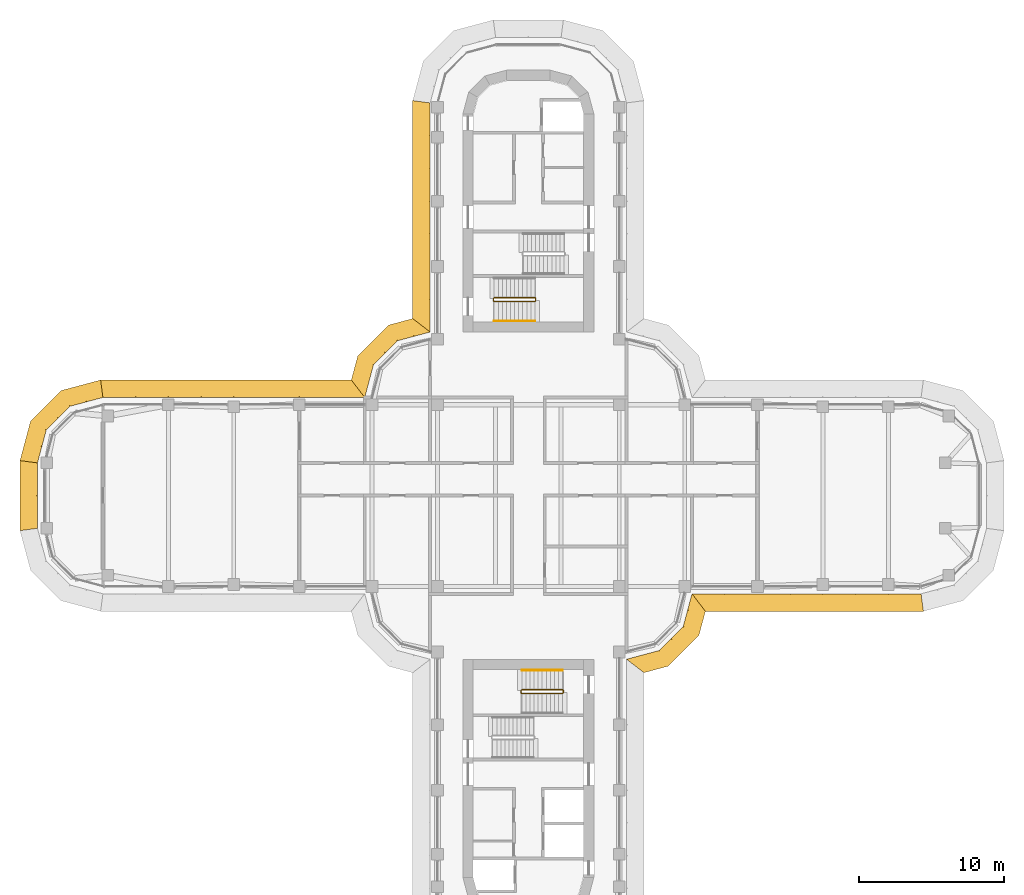
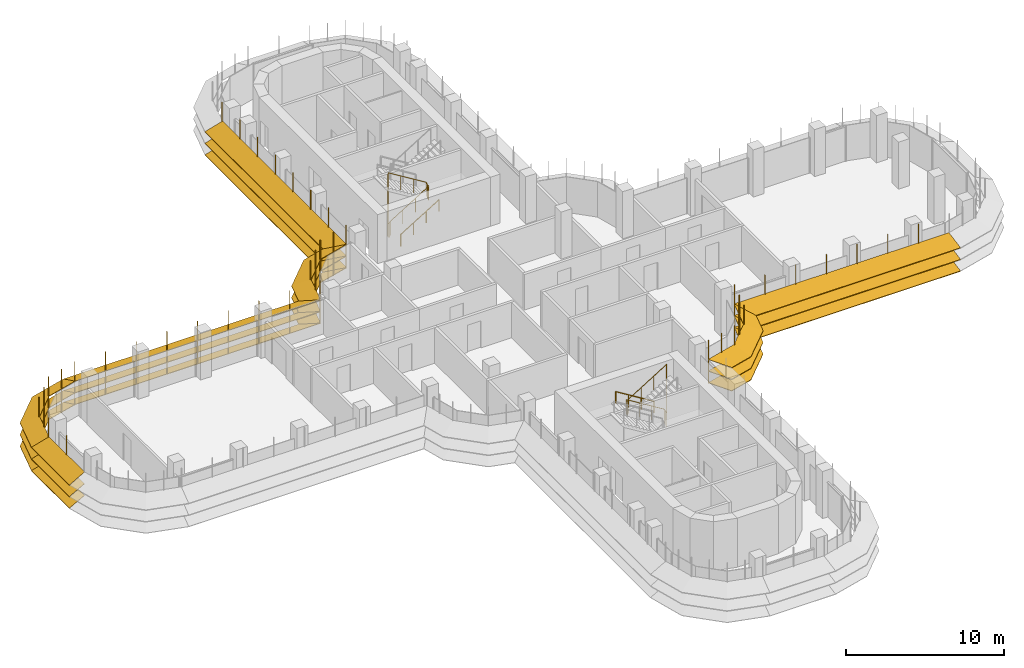
# One storey, part 18 of 20: 7 shading devices, 4 railings.
"""IFC4 building model written with IfcOpenShell, lengths in metres."""

import ifcopenshell
import ifcopenshell.guid

model = None  # the IFC model being written
_history = None  # IfcOwnerHistory: only IFC2X3 demands one
_inside = {}  # id of a spatial element -> (the spatial element, [elements in it])
_under = {}  # id of a project, library or spatial element -> (it, [spatial elements below it])
_declared = {}  # id of a project -> (the project, [libraries it declares])
_typed = {}  # id of a type object -> (the type object, [elements of that type])
_made_of = {}  # id of a material, layer set ... -> (it, [elements and type objects made of it])


def new_model(schema):
    """Start an empty IFC model of exactly this schema.

    Asked for "IFC4X3", IfcOpenShell would pick the latest addendum, in which some entities
    have other attributes; the version numbers below select the first issue.
    IFC2X3 requires an IfcOwnerHistory on every rooted entity: one is made here for all.
    """
    global model, _history
    if schema == "IFC4X3":
        model = ifcopenshell.file(schema_version=(4, 3, 0, 0))
    else:
        model = ifcopenshell.file(schema=schema)
    _inside.clear()
    _under.clear()
    _declared.clear()
    _typed.clear()
    _made_of.clear()
    _history = None
    if model.schema == "IFC2X3":
        org = make("IfcOrganization", Name="unknown")
        user = make(
            "IfcPersonAndOrganization",
            ThePerson=make("IfcPerson", FamilyName="unknown"),
            TheOrganization=org,
        )
        app = make(
            "IfcApplication",
            ApplicationDeveloper=org,
            Version="unknown",
            ApplicationFullName="unknown",
            ApplicationIdentifier="unknown",
        )
        _history = make(
            "IfcOwnerHistory",
            OwningUser=user,
            OwningApplication=app,
            ChangeAction="ADDED",
            CreationDate=0,
        )
    return model


def make(cls, **values):
    """One entity of the class cls with the attributes given. An attribute that is None is left unset."""
    return model.create_entity(
        cls, **{name: value for name, value in values.items() if value is not None}
    )


def rooted(cls, **values):
    """An entity with a GlobalId (a new one), such as an element, a storey or a relation."""
    return make(cls, GlobalId=ifcopenshell.guid.new(), OwnerHistory=_history, **values)


def si_unit(unit_type, name, prefix=None):
    """IfcSIUnit, for example si_unit("LENGTHUNIT", "METRE", prefix="MILLI")."""
    return make("IfcSIUnit", UnitType=unit_type, Prefix=prefix, Name=name)


def assignment(units):
    """IfcUnitAssignment: the units of a project."""
    return None if units is None else make("IfcUnitAssignment", Units=units)


def point(xyz):
    """IfcCartesianPoint."""
    return None if xyz is None else make("IfcCartesianPoint", Coordinates=xyz)


def direction(xyz):
    """IfcDirection."""
    return None if xyz is None else make("IfcDirection", DirectionRatios=xyz)


def frame(location, z_axis=None, x_axis=None):
    """IfcAxis2Placement3D, a coordinate frame: its origin and axes. An axis left out is left unset."""
    return make(
        "IfcAxis2Placement3D",
        Location=point(location),
        Axis=direction(z_axis),
        RefDirection=direction(x_axis),
    )


def frame_2d(location, x_axis=None):
    """IfcAxis2Placement2D, a coordinate frame in the plane: its origin and x axis."""
    return make(
        "IfcAxis2Placement2D", Location=point(location), RefDirection=direction(x_axis)
    )


def origin():
    """The frame at (0, 0, 0) with its axes left unset."""
    return frame((0.0, 0.0, 0.0))


def origin_2d():
    """The frame at (0, 0) in the plane with its x axis left unset."""
    return frame_2d((0.0, 0.0))


def place(relative_to, where):
    """IfcLocalPlacement: puts the frame where relative to a parent placement (None: the world)."""
    return make(
        "IfcLocalPlacement", PlacementRelTo=relative_to, RelativePlacement=where
    )


def context(
    kind, dimensions, precision=None, world=None, true_north=None, identifier=None
):
    """IfcGeometricRepresentationContext, for example the 3D "Model" context."""
    return make(
        "IfcGeometricRepresentationContext",
        ContextIdentifier=identifier,
        ContextType=kind,
        CoordinateSpaceDimension=dimensions,
        Precision=precision,
        WorldCoordinateSystem=world,
        TrueNorth=true_north,
    )


def subcontext(parent, identifier, kind, view, scale=None):
    """IfcGeometricRepresentationSubContext, for example "Body" below "Model"."""
    return make(
        "IfcGeometricRepresentationSubContext",
        ContextIdentifier=identifier,
        ContextType=kind,
        ParentContext=parent,
        TargetScale=scale,
        TargetView=view,
    )


def project(units=None, contexts=None):
    """IfcProject with its units and contexts."""
    return rooted(
        "IfcProject",
        Name="project",
        RepresentationContexts=contexts,
        UnitsInContext=assignment(units),
    )


def spatial(cls, under=None, at=None, **own):
    """A site, building, storey or space (cls), placed at a placement, below another one or the project."""
    s = rooted(cls, ObjectPlacement=at, **own)
    if under is not None:
        _under.setdefault(under.id(), (under, []))[1].append(s)
    return s


def polyline(points):
    """IfcPolyline through the points."""
    return make("IfcPolyline", Points=[point(p) for p in points])


def profile(cls, at=None, kind="AREA", **sizes):
    """A parametric profile (cls). Its sizes go by their IFC names, for example OverallWidth=200.0."""
    return make(cls, ProfileType=kind, Position=at, **sizes)


def circle(**sizes):
    """IfcCircleProfileDef."""
    return profile("IfcCircleProfileDef", **sizes)


def outline(outer, holes=None, kind="AREA"):
    """IfcArbitraryClosedProfileDef: a profile drawn as a closed curve; with holes, ...WithVoids."""
    if holes is None:
        return make("IfcArbitraryClosedProfileDef", ProfileType=kind, OuterCurve=outer)
    return make(
        "IfcArbitraryProfileDefWithVoids",
        ProfileType=kind,
        OuterCurve=outer,
        InnerCurves=holes,
    )


def extrude(swept, where, along, depth):
    """IfcExtrudedAreaSolid: the profile swept, set in the frame where, extruded along a direction by depth."""
    return make(
        "IfcExtrudedAreaSolid",
        SweptArea=swept,
        Position=where,
        ExtrudedDirection=direction(along),
        Depth=depth,
    )


def faces_of(points, faces, orient=None, outer=None):
    """IfcFace entities. A face is a list of loops; a loop is a list of indices into points, from 0.

    orient and outer hold one flag for each loop. By default every Orientation is true, the
    first loop of a face is its IfcFaceOuterBound and the others are IfcFaceBound.
    """
    made = []
    for i, loops in enumerate(faces):
        bounds = []
        for j, loop in enumerate(loops):
            is_outer = j == 0 if outer is None else outer[i][j]
            bounds.append(
                make(
                    "IfcFaceOuterBound" if is_outer else "IfcFaceBound",
                    Bound=make("IfcPolyLoop", Polygon=[points[k] for k in loop]),
                    Orientation=True if orient is None else orient[i][j],
                )
            )
        made.append(make("IfcFace", Bounds=bounds))
    return made


def faceted_brep(points, faces, orient=None, outer=None, voids=None):
    """IfcFacetedBrep: a solid bounded by flat faces; with voids (closed shells), ...WithVoids."""
    shared = [point(p) for p in points]
    hull = make("IfcClosedShell", CfsFaces=faces_of(shared, faces, orient, outer))
    if voids is None:
        return make("IfcFacetedBrep", Outer=hull)
    return make(
        "IfcFacetedBrepWithVoids",
        Outer=hull,
        Voids=[
            make(cls, CfsFaces=faces_of(shared, fs, o, b)) for cls, fs, o, b in voids
        ],
    )


def shape(context_of_items, identifier, shape_type, items):
    """IfcShapeRepresentation: the items that make up one representation, for example the "Body"."""
    return make(
        "IfcShapeRepresentation",
        ContextOfItems=context_of_items,
        RepresentationIdentifier=identifier,
        RepresentationType=shape_type,
        Items=items,
    )


def source(mapping_origin, context_of_items, identifier, shape_type, items):
    """IfcRepresentationMap: a shape defined once, which mapped items show again and again."""
    return make(
        "IfcRepresentationMap",
        MappingOrigin=mapping_origin,
        MappedRepresentation=shape(context_of_items, identifier, shape_type, items),
    )


def transform(
    local_origin,
    x_axis=None,
    y_axis=None,
    z_axis=None,
    scale=None,
    scale2=None,
    scale3=None,
    uniform=True,
):
    """IfcCartesianTransformationOperator3D, or its non-uniform kind. x_axis, y_axis, z_axis: its Axis1, 2, 3."""
    if uniform:
        return make(
            "IfcCartesianTransformationOperator3D",
            Axis1=direction(x_axis),
            Axis2=direction(y_axis),
            LocalOrigin=point(local_origin),
            Scale=scale,
            Axis3=direction(z_axis),
        )
    return make(
        "IfcCartesianTransformationOperator3DnonUniform",
        Axis1=direction(x_axis),
        Axis2=direction(y_axis),
        LocalOrigin=point(local_origin),
        Scale=scale,
        Axis3=direction(z_axis),
        Scale2=scale2,
        Scale3=scale3,
    )


def mapped(mapping_source, mapping_target):
    """IfcMappedItem: shows the shape of a source again, moved by a transform."""
    return make(
        "IfcMappedItem", MappingSource=mapping_source, MappingTarget=mapping_target
    )


def material(Name=None, Category=None):
    """IfcMaterial."""
    return make("IfcMaterial", Name=Name, Category=Category)


def made_of(thing, what):
    """Note that an element or type object is made of a material, layer set ...; save() writes the relation."""
    if what is not None:
        _made_of.setdefault(what.id(), (what, []))[1].append(thing)
    return thing


def type_object(cls, material=None, **own):
    """A type object (cls), such as IfcWallType, which elements share."""
    return made_of(rooted(cls, **own), material)


def element(
    cls,
    number,
    at=None,
    inside=None,
    cuts=None,
    type_object=None,
    material=None,
    context=None,
    identifier="Body",
    shape_type=None,
    held_by="IfcProductDefinitionShape",
    body=None,
    shapes=None,
    **own,
):
    """One element of the class cls, such as IfcWall. Its Tag is "e" and its number.

    at: its placement. inside: the storey or other place that contains it. cuts: it is an
    opening in that element (IfcRelVoidsElement). A single representation is given by context,
    identifier, shape_type and body (its items); several are given by shapes. held_by: the class
    of the entity that holds the representations. save() writes the other relations.
    """
    e = rooted(cls, Tag="e%d" % number, ObjectPlacement=at, **own)
    if body is not None:
        shapes = [shape(context, identifier, shape_type, body)]
    if shapes is not None:
        e.Representation = make(held_by, Representations=shapes)
    if inside is not None:
        _inside.setdefault(inside.id(), (inside, []))[1].append(e)
    if cuts is not None:
        rooted(
            "IfcRelVoidsElement", RelatingBuildingElement=cuts, RelatedOpeningElement=e
        )
    if type_object is not None:
        _typed.setdefault(type_object.id(), (type_object, []))[1].append(e)
    return made_of(e, material)


def aggregate(whole, parts):
    """IfcRelAggregates: a whole, such as a stair, and the parts it consists of."""
    return rooted("IfcRelAggregates", RelatingObject=whole, RelatedObjects=parts)


def save(model, path):
    """Write the relations noted so far, then the file.

    IfcRelAggregates (storeys below a building ...), IfcRelContainedInSpatialStructure (elements
    in a storey), IfcRelDefinesByType, IfcRelAssociatesMaterial and IfcRelDeclares: one each for
    every whole, place, type object, material and project.
    """
    for whole, parts in _under.values():
        aggregate(whole, parts)
    for where, things in _inside.values():
        rooted(
            "IfcRelContainedInSpatialStructure",
            RelatedElements=things,
            RelatingStructure=where,
        )
    for kind, things in _typed.values():
        rooted("IfcRelDefinesByType", RelatedObjects=things, RelatingType=kind)
    for what, things in _made_of.values():
        rooted("IfcRelAssociatesMaterial", RelatedObjects=things, RelatingMaterial=what)
    for by, libraries in _declared.values():
        rooted("IfcRelDeclares", RelatingContext=by, RelatedDefinitions=libraries)
    model.write(path)


model = new_model("IFC4")

# Units and contexts
model_context = context("Model", 3, precision=1e-05, world=origin(), true_north=direction((0.0, 1.0)))
body_context = subcontext(model_context, "Body", "Model", "MODEL_VIEW")
ifc_project = project(units=[si_unit("LENGTHUNIT", "METRE"), si_unit("AREAUNIT", "SQUARE_METRE"), si_unit("VOLUMEUNIT", "CUBIC_METRE"), si_unit("PLANEANGLEUNIT", "RADIAN"), si_unit("MASSUNIT", "GRAM", prefix="KILO")], contexts=[model_context])

# Site, building, storey
site_placement = place(None, origin())
site = spatial("IfcSite", under=ifc_project, at=site_placement, CompositionType="ELEMENT")
building_placement = place(site_placement, origin())
building = spatial("IfcBuilding", under=site, at=building_placement, Name="Zarbagh Exchange Tower", CompositionType="ELEMENT")
storey_placement = place(building_placement, frame((0.0, 0.0, 152.39990234375)))
storey = spatial("IfcBuildingStorey", under=building, at=storey_placement, Name="L36", CompositionType="ELEMENT", Elevation=152.39990234375)

# Railings
ifc_material_1 = material(Name="Stainless steel", Category="steel")
railing_type_1 = type_object("IfcRailingType", Name="Stair guard 1100 mm", PredefinedType="GUARDRAIL", material=ifc_material_1)
railing_1_placement = place(storey_placement, frame((0.5, 13.39990234375, 1.900146484375)))
element("IfcRailing", 1, at=railing_1_placement, inside=storey, type_object=railing_type_1, Name="ST2 stair guard 1", PredefinedType="GUARDRAIL", context=body_context, shape_type="SweptSolid", body=[
    extrude(circle(Radius=0.02392578125, at=origin_2d()), frame((0.0, 0.0, 1.076171875), z_axis=(0.0, 1.0, 0.0), x_axis=(-1.0, 0.0, 0.0)), (0.0, 0.0, 1.0), 0.150146484375),
    extrude(circle(Radius=0.02392578125, at=origin_2d()), frame((0.0, 0.150146484375, 1.076171875), z_axis=(-0.268277960024, 0.268277960024, 0.925231793839), x_axis=(-0.707106781187, -0.707106781187, 0.0)), (0.0, 0.0, 1.0), 0.1865234375),
    extrude(circle(Radius=0.02392578125, at=origin_2d()), frame((-0.050048828125, 0.2001953125, 1.24853515625), z_axis=(-0.851089632645, 0.0, 0.525020415988), x_axis=(0.0, -1.0, 0.0)), (0.0, 0.0, 1.0), 3.2900390625),
    extrude(circle(Radius=0.02392578125, at=origin_2d()), frame((-2.85009765625, 0.2001953125, 2.97607421875), z_axis=(-0.013104066473, -0.013168302093, -0.99982742474), x_axis=(0.708833529934, -0.705375805398, 0.0)), (0.0, 0.0, 1.0), 3.80078125),
    extrude(circle(Radius=0.02392578125, at=origin_2d()), frame((-2.89990234375, 0.150146484375, -0.82421875), z_axis=(0.0, -1.0, 0.0), x_axis=(1.0, 0.0, 0.0)), (0.0, 0.0, 1.0), 0.150146484375),
    extrude(circle(Radius=0.02392578125, at=origin_2d()), frame((-2.89990234375, 0.0, -0.82421875), z_axis=(0.266832911964, -0.266832911964, 0.926067165051), x_axis=(0.707106781187, 0.707106781187, 0.0)), (0.0, 0.0, 1.0), 0.186767578125),
    extrude(circle(Radius=0.02392578125, at=origin_2d()), frame((-2.85009765625, -0.0498046875, -0.6513671875), z_axis=(0.851089632645, 0.0, 0.525020415988), x_axis=(0.0, 1.0, 0.0)), (0.0, 0.0, 1.0), 3.2900390625),
    extrude(circle(Radius=0.02099609375, at=origin_2d()), origin(), (0.0, 0.0, 1.0), 1.052001953125),
    extrude(circle(Radius=0.02099609375, at=origin_2d()), frame((0.0, 0.150146484375, 0.0)), (0.0, 0.0, 1.0), 1.052001953125),
    extrude(circle(Radius=0.02099609375, at=origin_2d()), frame((-0.050048828125, 0.2001953125, 0.172607421875)), (0.0, 0.0, 1.0), 1.052001953125),
    extrude(circle(Radius=0.02099609375, at=origin_2d()), frame((-0.9833984375, 0.2001953125, 0.748291015625)), (0.0, 0.0, 1.0), 1.052001953125),
    extrude(circle(Radius=0.02099609375, at=origin_2d()), frame((-1.916748046875, 0.2001953125, 1.32421875)), (0.0, 0.0, 1.0), 1.052001953125),
    extrude(circle(Radius=0.02099609375, at=origin_2d()), frame((-2.85009765625, 0.2001953125, 1.89990234375)), (0.0, 0.0, 1.0), 1.052001953125),
    extrude(circle(Radius=0.02099609375, at=origin_2d()), frame((-2.862548828125, 0.187744140625, 0.949951171875)), (0.0, 0.0, 1.0), 1.052001953125),
    extrude(circle(Radius=0.02099609375, at=origin_2d()), frame((-2.875, 0.17529296875, 0.0)), (0.0, 0.0, 1.0), 1.052001953125),
    extrude(circle(Radius=0.02099609375, at=origin_2d()), frame((-2.887451171875, 0.16259765625, -0.9501953125)), (0.0, 0.0, 1.0), 1.052001953125),
    extrude(circle(Radius=0.02099609375, at=origin_2d()), frame((-2.89990234375, 0.150146484375, -1.900146484375)), (0.0, 0.0, 1.0), 1.052001953125),
    extrude(circle(Radius=0.02099609375, at=origin_2d()), frame((-2.89990234375, 0.0, -1.900146484375)), (0.0, 0.0, 1.0), 1.052001953125),
    extrude(circle(Radius=0.02099609375, at=origin_2d()), frame((-2.85009765625, -0.0498046875, -1.727294921875)), (0.0, 0.0, 1.0), 1.052001953125),
    extrude(circle(Radius=0.02099609375, at=origin_2d()), frame((-1.916748046875, -0.0498046875, -1.151611328125)), (0.0, 0.0, 1.0), 1.052001953125),
    extrude(circle(Radius=0.02099609375, at=origin_2d()), frame((-0.9833984375, -0.0498046875, -0.57568359375)), (0.0, 0.0, 1.0), 1.052001953125),
    extrude(circle(Radius=0.02099609375, at=origin_2d()), frame((-0.050048828125, -0.0498046875, 0.0)), (0.0, 0.0, 1.0), 1.052001953125),
])
railing_2_placement = place(storey_placement, frame((-0.5, -13.39990234375, 1.900146484375)))
element("IfcRailing", 2, at=railing_2_placement, inside=storey, type_object=railing_type_1, Name="ST4 stair guard 1", PredefinedType="GUARDRAIL", context=body_context, shape_type="SweptSolid", body=[
    extrude(circle(Radius=0.02392578125, at=origin_2d()), frame((0.0, 0.0, 1.076171875), z_axis=(0.0, -1.0, 0.0), x_axis=(1.0, 0.0, 0.0)), (0.0, 0.0, 1.0), 0.150146484375),
    extrude(circle(Radius=0.02392578125, at=origin_2d()), frame((0.0, -0.150146484375, 1.076171875), z_axis=(0.268277960024, -0.268277960024, 0.925231793839), x_axis=(0.707106781187, 0.707106781187, 0.0)), (0.0, 0.0, 1.0), 0.1865234375),
    extrude(circle(Radius=0.02392578125, at=origin_2d()), frame((0.050048828125, -0.2001953125, 1.24853515625), z_axis=(0.851089632645, 0.0, 0.525020415988), x_axis=(0.0, 1.0, 0.0)), (0.0, 0.0, 1.0), 3.2900390625),
    extrude(circle(Radius=0.02392578125, at=origin_2d()), frame((2.85009765625, -0.2001953125, 2.97607421875), z_axis=(0.013104066473, 0.013168302093, -0.99982742474), x_axis=(-0.708833529934, 0.705375805398, 0.0)), (0.0, 0.0, 1.0), 3.80078125),
    extrude(circle(Radius=0.02392578125, at=origin_2d()), frame((2.89990234375, -0.150146484375, -0.82421875), z_axis=(0.0, 1.0, 0.0), x_axis=(-1.0, 0.0, 0.0)), (0.0, 0.0, 1.0), 0.150146484375),
    extrude(circle(Radius=0.02392578125, at=origin_2d()), frame((2.89990234375, 0.0, -0.82421875), z_axis=(-0.266832911964, 0.266832911964, 0.926067165051), x_axis=(-0.707106781187, -0.707106781187, 0.0)), (0.0, 0.0, 1.0), 0.186767578125),
    extrude(circle(Radius=0.02392578125, at=origin_2d()), frame((2.85009765625, 0.0498046875, -0.6513671875), z_axis=(-0.851089632645, 0.0, 0.525020415988), x_axis=(0.0, -1.0, 0.0)), (0.0, 0.0, 1.0), 3.2900390625),
    extrude(circle(Radius=0.02099609375, at=origin_2d()), origin(), (0.0, 0.0, 1.0), 1.052001953125),
    extrude(circle(Radius=0.02099609375, at=origin_2d()), frame((0.0, -0.150146484375, 0.0)), (0.0, 0.0, 1.0), 1.052001953125),
    extrude(circle(Radius=0.02099609375, at=origin_2d()), frame((0.050048828125, -0.2001953125, 0.172607421875)), (0.0, 0.0, 1.0), 1.052001953125),
    extrude(circle(Radius=0.02099609375, at=origin_2d()), frame((0.9833984375, -0.2001953125, 0.748291015625)), (0.0, 0.0, 1.0), 1.052001953125),
    extrude(circle(Radius=0.02099609375, at=origin_2d()), frame((1.916748046875, -0.2001953125, 1.32421875)), (0.0, 0.0, 1.0), 1.052001953125),
    extrude(circle(Radius=0.02099609375, at=origin_2d()), frame((2.85009765625, -0.2001953125, 1.89990234375)), (0.0, 0.0, 1.0), 1.052001953125),
    extrude(circle(Radius=0.02099609375, at=origin_2d()), frame((2.862548828125, -0.187744140625, 0.949951171875)), (0.0, 0.0, 1.0), 1.052001953125),
    extrude(circle(Radius=0.02099609375, at=origin_2d()), frame((2.875, -0.17529296875, 0.0)), (0.0, 0.0, 1.0), 1.052001953125),
    extrude(circle(Radius=0.02099609375, at=origin_2d()), frame((2.887451171875, -0.16259765625, -0.9501953125)), (0.0, 0.0, 1.0), 1.052001953125),
    extrude(circle(Radius=0.02099609375, at=origin_2d()), frame((2.89990234375, -0.150146484375, -1.900146484375)), (0.0, 0.0, 1.0), 1.052001953125),
    extrude(circle(Radius=0.02099609375, at=origin_2d()), frame((2.89990234375, 0.0, -1.900146484375)), (0.0, 0.0, 1.0), 1.052001953125),
    extrude(circle(Radius=0.02099609375, at=origin_2d()), frame((2.85009765625, 0.0498046875, -1.727294921875)), (0.0, 0.0, 1.0), 1.052001953125),
    extrude(circle(Radius=0.02099609375, at=origin_2d()), frame((1.916748046875, 0.0498046875, -1.151611328125)), (0.0, 0.0, 1.0), 1.052001953125),
    extrude(circle(Radius=0.02099609375, at=origin_2d()), frame((0.9833984375, 0.0498046875, -0.57568359375)), (0.0, 0.0, 1.0), 1.052001953125),
    extrude(circle(Radius=0.02099609375, at=origin_2d()), frame((0.050048828125, 0.0498046875, 0.0)), (0.0, 0.0, 1.0), 1.052001953125),
])
railing_type_2 = type_object("IfcRailingType", Name="Stair handrail 900 mm", PredefinedType="HANDRAIL", material=ifc_material_1)
railing_3_placement = place(storey_placement, frame((-2.35009765625, 12.0, 0.1728515625)))
element("IfcRailing", 3, at=railing_3_placement, inside=storey, type_object=railing_type_2, Name="ST2 stair handrail 1", PredefinedType="HANDRAIL", context=body_context, shape_type="SweptSolid", body=[
    extrude(circle(Radius=0.02392578125, at=origin_2d()), frame((0.0, 0.0, 0.8759765625), z_axis=(0.851089632645, 0.0, 0.525020415988), x_axis=(0.0, 1.0, 0.0)), (0.0, 0.0, 1.0), 3.2900390625),
    extrude(circle(Radius=0.02099609375, at=origin_2d()), origin(), (0.0, 0.0, 1.0), 0.851806640625),
    extrude(circle(Radius=0.02099609375, at=origin_2d()), frame((0.933349609375, 0.0, 0.57568359375)), (0.0, 0.0, 1.0), 0.851806640625),
    extrude(circle(Radius=0.02099609375, at=origin_2d()), frame((1.86669921875, 0.0, 1.151611328125)), (0.0, 0.0, 1.0), 0.851806640625),
    extrude(circle(Radius=0.02099609375, at=origin_2d()), frame((2.800048828125, 0.0, 1.727294921875)), (0.0, 0.0, 1.0), 0.851806640625),
])
railing_4_placement = place(storey_placement, frame((2.35009765625, -12.0, 0.1728515625)))
element("IfcRailing", 4, at=railing_4_placement, inside=storey, type_object=railing_type_2, Name="ST4 stair handrail 1", PredefinedType="HANDRAIL", context=body_context, shape_type="SweptSolid", body=[
    extrude(circle(Radius=0.02392578125, at=origin_2d()), frame((0.0, 0.0, 0.8759765625), z_axis=(-0.851089632645, 0.0, 0.525020415988), x_axis=(0.0, -1.0, 0.0)), (0.0, 0.0, 1.0), 3.2900390625),
    extrude(circle(Radius=0.02099609375, at=origin_2d()), origin(), (0.0, 0.0, 1.0), 0.851806640625),
    extrude(circle(Radius=0.02099609375, at=origin_2d()), frame((-0.933349609375, 0.0, 0.57568359375)), (0.0, 0.0, 1.0), 0.851806640625),
    extrude(circle(Radius=0.02099609375, at=origin_2d()), frame((-1.86669921875, 0.0, 1.151611328125)), (0.0, 0.0, 1.0), 0.851806640625),
    extrude(circle(Radius=0.02099609375, at=origin_2d()), frame((-2.800048828125, 0.0, 1.727294921875)), (0.0, 0.0, 1.0), 0.851806640625),
])

# Shading devices
ifc_material_2 = material(Name="Anodised aluminium blades and brackets", Category="aluminium")
shading_device_type = type_object("IfcShadingDeviceType", Name="SUNSHADE louvre band, 22.5 degree blades", PredefinedType="JALOUSIE", material=ifc_material_2)
shared_shape_1 = source(origin(), body_context, "Body", "Brep", [
    faceted_brep([(0.0, 0.0, 0.0), (0.0, 0.0, -0.043212890625), (-0.157958984375, -1.199951171875, -0.540283203125), (-0.157958984375, -1.199951171875, -0.4970703125), (2.65087890625, -1.199951171875, -0.4970703125), (2.65087890625, -1.199951171875, -0.540283203125), (2.329345703125, 0.0, -0.043212890625), (2.329345703125, 0.0, 0.0)], [[[0, 1, 2, 3]], [[4, 5, 6, 7]], [[0, 7, 6, 1]], [[1, 6, 5, 2]], [[2, 5, 4, 3]], [[3, 4, 7, 0]]]),
])
shared_shape_2 = source(origin(), body_context, "Body", "Brep", [
    faceted_brep([(0.0, 0.0, 0.0), (0.0, 0.0, -0.043212890625), (-0.321533203125, -1.199951171875, -0.540283203125), (-0.321533203125, -1.199951171875, -0.4970703125), (2.65087890625, -1.199951171875, -0.4970703125), (2.65087890625, -1.199951171875, -0.540283203125), (2.329345703125, 0.0, -0.043212890625), (2.329345703125, 0.0, 0.0)], [[[0, 1, 2, 3]], [[4, 5, 6, 7]], [[0, 7, 6, 1]], [[1, 6, 5, 2]], [[2, 5, 4, 3]], [[3, 4, 7, 0]]]),
])
shared_shape_3 = source(origin(), body_context, "Body", "Brep", [
    faceted_brep([(0.0, 0.0, 0.0), (0.0, 0.0, -0.043212890625), (-0.321533203125, -1.199951171875, -0.540283203125), (-0.321533203125, -1.199951171875, -0.4970703125), (2.4873046875, -1.199951171875, -0.4970703125), (2.4873046875, -1.199951171875, -0.540283203125), (2.329345703125, 0.0, -0.043212890625), (2.329345703125, 0.0, 0.0)], [[[0, 1, 2, 3]], [[4, 5, 6, 7]], [[0, 7, 6, 1]], [[1, 6, 5, 2]], [[2, 5, 4, 3]], [[3, 4, 7, 0]]]),
])
shared_shape_4 = source(origin(), body_context, "Body", "SweptSolid", [
    extrude(outline(polyline([(0.0, -0.012451171875), (0.06005859375, -0.012451171875), (0.06005859375, 0.012451171875), (0.0, 0.012451171875), (0.0, -0.012451171875)])), origin(), (0.0, 0.0, 1.0), 3.353271484375),
])
placement = place(storey_placement, origin())
element("IfcShadingDevice", 5, at=placement, inside=storey, type_object=shading_device_type, Name="SS17 sunshade band", PredefinedType="JALOUSIE", context=body_context, shape_type="MappedRepresentation", body=[
    mapped(shared_shape_1, transform((-29.25, 6.75, 2.300048828125), x_axis=(-0.965924289636, -0.258824779902, 0.0), y_axis=(0.258824779902, -0.965924289636, 0.0), z_axis=(0.0, 0.0, 1.0))),
    mapped(shared_shape_1, transform((-29.25, 6.75, 1.400146484375), x_axis=(-0.965924289636, -0.258824779902, 0.0), y_axis=(0.258824779902, -0.965924289636, 0.0), z_axis=(0.0, 0.0, 1.0))),
    mapped(shared_shape_1, transform((-29.25, 6.75, 0.5), x_axis=(-0.965924289636, -0.258824779902, 0.0), y_axis=(0.258824779902, -0.965924289636, 0.0), z_axis=(0.0, 0.0, 1.0))),
    mapped(shared_shape_2, transform((-31.5, 6.147216796875, 2.300048828125), x_axis=(-0.707106781187, -0.707106781187, 0.0), y_axis=(0.707106781187, -0.707106781187, 0.0), z_axis=(0.0, 0.0, 1.0))),
    mapped(shared_shape_2, transform((-31.5, 6.147216796875, 1.400146484375), x_axis=(-0.707106781187, -0.707106781187, 0.0), y_axis=(0.707106781187, -0.707106781187, 0.0), z_axis=(0.0, 0.0, 1.0))),
    mapped(shared_shape_2, transform((-31.5, 6.147216796875, 0.5), x_axis=(-0.707106781187, -0.707106781187, 0.0), y_axis=(0.707106781187, -0.707106781187, 0.0), z_axis=(0.0, 0.0, 1.0))),
    mapped(shared_shape_3, transform((-33.147216796875, 4.5, 2.300048828125), x_axis=(-0.258824779902, -0.965924289636, 0.0), y_axis=(0.965924289636, -0.258824779902, 0.0), z_axis=(0.0, 0.0, 1.0))),
    mapped(shared_shape_3, transform((-33.147216796875, 4.5, 1.400146484375), x_axis=(-0.258824779902, -0.965924289636, 0.0), y_axis=(0.965924289636, -0.258824779902, 0.0), z_axis=(0.0, 0.0, 1.0))),
    mapped(shared_shape_3, transform((-33.147216796875, 4.5, 0.5), x_axis=(-0.258824779902, -0.965924289636, 0.0), y_axis=(0.965924289636, -0.258824779902, 0.0), z_axis=(0.0, 0.0, 1.0))),
    mapped(shared_shape_4, transform((-29.25, 6.75, 0.4267578125), x_axis=(-0.130529263012, 0.991444457092, 0.0), y_axis=(-0.991444457092, -0.130529263012, 0.0), z_axis=(0.0, 0.0, 1.0))),
    mapped(shared_shape_4, transform((-30.375, 6.448486328125, 0.4267578125), x_axis=(-0.258825058029, 0.96592421511, 0.0), y_axis=(-0.96592421511, -0.258825058029, 0.0), z_axis=(0.0, 0.0, 1.0))),
    mapped(shared_shape_4, transform((-31.5, 6.147216796875, 0.4267578125), x_axis=(-0.50000275701, 0.866023812018, 0.0), y_axis=(-0.866023812018, -0.50000275701, 0.0), z_axis=(0.0, 0.0, 1.0))),
    mapped(shared_shape_4, transform((-32.323486328125, 5.323486328125, 0.4267578125), x_axis=(-0.707106781187, 0.707106781187, 0.0), y_axis=(-0.707106781187, -0.707106781187, 0.0), z_axis=(0.0, 0.0, 1.0))),
    mapped(shared_shape_4, transform((-33.147216796875, 4.5, 0.4267578125), x_axis=(-0.866023812018, 0.50000275701, 0.0), y_axis=(-0.50000275701, -0.866023812018, 0.0), z_axis=(0.0, 0.0, 1.0))),
    mapped(shared_shape_4, transform((-33.448486328125, 3.375, 0.4267578125), x_axis=(-0.96592421511, 0.258825058029, 0.0), y_axis=(-0.258825058029, -0.96592421511, 0.0), z_axis=(0.0, 0.0, 1.0))),
])
shared_shape_5 = source(origin(), body_context, "Body", "Brep", [
    faceted_brep([(0.0, 0.0, 0.0), (0.0, 0.0, -0.043212890625), (0.9208984375, -1.199951171875, -0.540283203125), (0.9208984375, -1.199951171875, -0.4970703125), (2.65087890625, -1.199951171875, -0.4970703125), (2.65087890625, -1.199951171875, -0.540283203125), (2.329345703125, 0.0, -0.043212890625), (2.329345703125, 0.0, 0.0)], [[[0, 1, 2, 3]], [[4, 5, 6, 7]], [[0, 7, 6, 1]], [[1, 6, 5, 2]], [[2, 5, 4, 3]], [[3, 4, 7, 0]]]),
])
shared_shape_6 = source(origin(), body_context, "Body", "Brep", [
    faceted_brep([(0.0, 0.0, 0.0), (0.0, 0.0, -0.043212890625), (-0.321533203125, -1.199951171875, -0.540283203125), (-0.321533203125, -1.199951171875, -0.4970703125), (1.40869140625, -1.199951171875, -0.4970703125), (1.40869140625, -1.199951171875, -0.540283203125), (2.329345703125, 0.0, -0.043212890625), (2.329345703125, 0.0, 0.0)], [[[0, 1, 2, 3]], [[4, 5, 6, 7]], [[0, 7, 6, 1]], [[1, 6, 5, 2]], [[2, 5, 4, 3]], [[3, 4, 7, 0]]]),
])
element("IfcShadingDevice", 6, at=placement, inside=storey, type_object=shading_device_type, Name="SS03 sunshade band", PredefinedType="JALOUSIE", context=body_context, shape_type="MappedRepresentation", body=[
    mapped(shared_shape_5, transform((6.75, -11.25, 2.300048828125), x_axis=(0.965924289636, 0.258824779902, 0.0), y_axis=(-0.258824779902, 0.965924289636, 0.0), z_axis=(0.0, 0.0, 1.0))),
    mapped(shared_shape_5, transform((6.75, -11.25, 1.400146484375), x_axis=(0.965924289636, 0.258824779902, 0.0), y_axis=(-0.258824779902, 0.965924289636, 0.0), z_axis=(0.0, 0.0, 1.0))),
    mapped(shared_shape_5, transform((6.75, -11.25, 0.5), x_axis=(0.965924289636, 0.258824779902, 0.0), y_axis=(-0.258824779902, 0.965924289636, 0.0), z_axis=(0.0, 0.0, 1.0))),
    mapped(shared_shape_2, transform((9.0, -10.647216796875, 2.300048828125), x_axis=(0.707106781187, 0.707106781187, 0.0), y_axis=(-0.707106781187, 0.707106781187, 0.0), z_axis=(0.0, 0.0, 1.0))),
    mapped(shared_shape_2, transform((9.0, -10.647216796875, 1.400146484375), x_axis=(0.707106781187, 0.707106781187, 0.0), y_axis=(-0.707106781187, 0.707106781187, 0.0), z_axis=(0.0, 0.0, 1.0))),
    mapped(shared_shape_2, transform((9.0, -10.647216796875, 0.5), x_axis=(0.707106781187, 0.707106781187, 0.0), y_axis=(-0.707106781187, 0.707106781187, 0.0), z_axis=(0.0, 0.0, 1.0))),
    mapped(shared_shape_6, transform((10.647216796875, -9.0, 2.300048828125), x_axis=(0.258824779902, 0.965924289636, 0.0), y_axis=(-0.965924289636, 0.258824779902, 0.0), z_axis=(0.0, 0.0, 1.0))),
    mapped(shared_shape_6, transform((10.647216796875, -9.0, 1.400146484375), x_axis=(0.258824779902, 0.965924289636, 0.0), y_axis=(-0.965924289636, 0.258824779902, 0.0), z_axis=(0.0, 0.0, 1.0))),
    mapped(shared_shape_6, transform((10.647216796875, -9.0, 0.5), x_axis=(0.258824779902, 0.965924289636, 0.0), y_axis=(-0.965924289636, 0.258824779902, 0.0), z_axis=(0.0, 0.0, 1.0))),
    mapped(shared_shape_4, transform((6.75, -11.25, 0.4267578125), x_axis=(0.793355287, -0.608758892, 0.0), y_axis=(0.608758892, 0.793355287, 0.0), z_axis=(0.0, 0.0, 1.0))),
    mapped(shared_shape_4, transform((7.875, -10.948486328125, 0.4267578125), x_axis=(0.258825058029, -0.96592421511, 0.0), y_axis=(0.96592421511, 0.258825058029, 0.0), z_axis=(0.0, 0.0, 1.0))),
    mapped(shared_shape_4, transform((9.0, -10.647216796875, 0.4267578125), x_axis=(0.50000275701, -0.866023812018, 0.0), y_axis=(0.866023812018, 0.50000275701, 0.0), z_axis=(0.0, 0.0, 1.0))),
    mapped(shared_shape_4, transform((9.823486328125, -9.823486328125, 0.4267578125), x_axis=(0.707106781187, -0.707106781187, 0.0), y_axis=(0.707106781187, 0.707106781187, 0.0), z_axis=(0.0, 0.0, 1.0))),
    mapped(shared_shape_4, transform((10.647216796875, -9.0, 0.4267578125), x_axis=(0.866023812018, -0.50000275701, 0.0), y_axis=(0.50000275701, 0.866023812018, 0.0), z_axis=(0.0, 0.0, 1.0))),
    mapped(shared_shape_4, transform((10.948486328125, -7.875, 0.4267578125), x_axis=(0.96592421511, -0.258825058029, 0.0), y_axis=(0.258825058029, 0.96592421511, 0.0), z_axis=(0.0, 0.0, 1.0))),
])
element("IfcShadingDevice", 7, at=placement, inside=storey, type_object=shading_device_type, Name="SS15 sunshade band", PredefinedType="JALOUSIE", context=body_context, shape_type="MappedRepresentation", body=[
    mapped(shared_shape_5, transform((-6.75, 11.25, 2.300048828125), x_axis=(-0.965924289636, -0.258824779902, 0.0), y_axis=(0.258824779902, -0.965924289636, 0.0), z_axis=(0.0, 0.0, 1.0))),
    mapped(shared_shape_5, transform((-6.75, 11.25, 1.400146484375), x_axis=(-0.965924289636, -0.258824779902, 0.0), y_axis=(0.258824779902, -0.965924289636, 0.0), z_axis=(0.0, 0.0, 1.0))),
    mapped(shared_shape_5, transform((-6.75, 11.25, 0.5), x_axis=(-0.965924289636, -0.258824779902, 0.0), y_axis=(0.258824779902, -0.965924289636, 0.0), z_axis=(0.0, 0.0, 1.0))),
    mapped(shared_shape_2, transform((-9.0, 10.647216796875, 2.300048828125), x_axis=(-0.707106781187, -0.707106781187, 0.0), y_axis=(0.707106781187, -0.707106781187, 0.0), z_axis=(0.0, 0.0, 1.0))),
    mapped(shared_shape_2, transform((-9.0, 10.647216796875, 1.400146484375), x_axis=(-0.707106781187, -0.707106781187, 0.0), y_axis=(0.707106781187, -0.707106781187, 0.0), z_axis=(0.0, 0.0, 1.0))),
    mapped(shared_shape_2, transform((-9.0, 10.647216796875, 0.5), x_axis=(-0.707106781187, -0.707106781187, 0.0), y_axis=(0.707106781187, -0.707106781187, 0.0), z_axis=(0.0, 0.0, 1.0))),
    mapped(shared_shape_6, transform((-10.647216796875, 9.0, 2.300048828125), x_axis=(-0.258824779902, -0.965924289636, 0.0), y_axis=(0.965924289636, -0.258824779902, 0.0), z_axis=(0.0, 0.0, 1.0))),
    mapped(shared_shape_6, transform((-10.647216796875, 9.0, 1.400146484375), x_axis=(-0.258824779902, -0.965924289636, 0.0), y_axis=(0.965924289636, -0.258824779902, 0.0), z_axis=(0.0, 0.0, 1.0))),
    mapped(shared_shape_6, transform((-10.647216796875, 9.0, 0.5), x_axis=(-0.258824779902, -0.965924289636, 0.0), y_axis=(0.965924289636, -0.258824779902, 0.0), z_axis=(0.0, 0.0, 1.0))),
    mapped(shared_shape_4, transform((-6.75, 11.25, 0.4267578125), x_axis=(-0.793355287, 0.608758892, 0.0), y_axis=(-0.608758892, -0.793355287, 0.0), z_axis=(0.0, 0.0, 1.0))),
    mapped(shared_shape_4, transform((-7.875, 10.948486328125, 0.4267578125), x_axis=(-0.258825058029, 0.96592421511, 0.0), y_axis=(-0.96592421511, -0.258825058029, 0.0), z_axis=(0.0, 0.0, 1.0))),
    mapped(shared_shape_4, transform((-9.0, 10.647216796875, 0.4267578125), x_axis=(-0.50000275701, 0.866023812018, 0.0), y_axis=(-0.866023812018, -0.50000275701, 0.0), z_axis=(0.0, 0.0, 1.0))),
    mapped(shared_shape_4, transform((-9.823486328125, 9.823486328125, 0.4267578125), x_axis=(-0.707106781187, 0.707106781187, 0.0), y_axis=(-0.707106781187, -0.707106781187, 0.0), z_axis=(0.0, 0.0, 1.0))),
    mapped(shared_shape_4, transform((-10.647216796875, 9.0, 0.4267578125), x_axis=(-0.866023812018, 0.50000275701, 0.0), y_axis=(-0.50000275701, -0.866023812018, 0.0), z_axis=(0.0, 0.0, 1.0))),
    mapped(shared_shape_4, transform((-10.948486328125, 7.875, 0.4267578125), x_axis=(-0.96592421511, 0.258825058029, 0.0), y_axis=(-0.258825058029, -0.96592421511, 0.0), z_axis=(0.0, 0.0, 1.0))),
])
shared_shape_7 = source(origin(), body_context, "Body", "Brep", [
    faceted_brep([(0.0, 0.0, 0.0), (0.0, 0.0, -0.043212890625), (0.9208984375, -1.199951171875, -0.540283203125), (0.9208984375, -1.199951171875, -0.4970703125), (15.907958984375, -1.199951171875, -0.4970703125), (15.907958984375, -1.199951171875, -0.540283203125), (15.75, 0.0, -0.043212890625), (15.75, 0.0, 0.0)], [[[0, 1, 2, 3]], [[4, 5, 6, 7]], [[0, 7, 6, 1]], [[1, 6, 5, 2]], [[2, 5, 4, 3]], [[3, 4, 7, 0]]]),
])
element("IfcShadingDevice", 8, at=placement, inside=storey, type_object=shading_device_type, Name="SS30 sunshade band", PredefinedType="JALOUSIE", context=body_context, shape_type="MappedRepresentation", body=[
    mapped(shared_shape_7, transform((11.25, -6.75, 2.300048828125), x_axis=(1.0, 0.0, 0.0), y_axis=(0.0, 1.0, 0.0), z_axis=(0.0, 0.0, 1.0))),
    mapped(shared_shape_7, transform((11.25, -6.75, 1.400146484375), x_axis=(1.0, 0.0, 0.0), y_axis=(0.0, 1.0, 0.0), z_axis=(0.0, 0.0, 1.0))),
    mapped(shared_shape_7, transform((11.25, -6.75, 0.5), x_axis=(1.0, 0.0, 0.0), y_axis=(0.0, 1.0, 0.0), z_axis=(0.0, 0.0, 1.0))),
    mapped(shared_shape_4, transform((11.25, -6.75, 0.4267578125), x_axis=(0.608758892, -0.793355287, 0.0), y_axis=(0.793355287, 0.608758892, 0.0), z_axis=(0.0, 0.0, 1.0))),
    mapped(shared_shape_4, transform((13.5, -6.75, 0.4267578125), x_axis=(0.0, -1.0, 0.0), y_axis=(1.0, 0.0, 0.0), z_axis=(0.0, 0.0, 1.0))),
    mapped(shared_shape_4, transform((15.75, -6.75, 0.4267578125), x_axis=(0.0, -1.0, 0.0), y_axis=(1.0, 0.0, 0.0), z_axis=(0.0, 0.0, 1.0))),
    mapped(shared_shape_4, transform((18.0, -6.75, 0.4267578125), x_axis=(0.0, -1.0, 0.0), y_axis=(1.0, 0.0, 0.0), z_axis=(0.0, 0.0, 1.0))),
    mapped(shared_shape_4, transform((20.25, -6.75, 0.4267578125), x_axis=(0.0, -1.0, 0.0), y_axis=(1.0, 0.0, 0.0), z_axis=(0.0, 0.0, 1.0))),
    mapped(shared_shape_4, transform((22.5, -6.75, 0.4267578125), x_axis=(0.0, -1.0, 0.0), y_axis=(1.0, 0.0, 0.0), z_axis=(0.0, 0.0, 1.0))),
    mapped(shared_shape_4, transform((24.75, -6.75, 0.4267578125), x_axis=(0.0, -1.0, 0.0), y_axis=(1.0, 0.0, 0.0), z_axis=(0.0, 0.0, 1.0))),
])
shared_shape_8 = source(origin(), body_context, "Body", "Brep", [
    faceted_brep([(0.0, 0.0, 0.0), (0.0, 0.0, -0.043212890625), (-0.157958984375, -1.199951171875, -0.540283203125), (-0.157958984375, -1.199951171875, -0.4970703125), (14.8291015625, -1.199951171875, -0.4970703125), (14.8291015625, -1.199951171875, -0.540283203125), (15.75, 0.0, -0.043212890625), (15.75, 0.0, 0.0)], [[[0, 1, 2, 3]], [[4, 5, 6, 7]], [[0, 7, 6, 1]], [[1, 6, 5, 2]], [[2, 5, 4, 3]], [[3, 4, 7, 0]]]),
])
element("IfcShadingDevice", 9, at=placement, inside=storey, type_object=shading_device_type, Name="SS29 sunshade band", PredefinedType="JALOUSIE", context=body_context, shape_type="MappedRepresentation", body=[
    mapped(shared_shape_8, transform((-6.75, 27.0, 2.300048828125), x_axis=(0.0, -1.0, 0.0), y_axis=(1.0, 0.0, 0.0), z_axis=(0.0, 0.0, 1.0))),
    mapped(shared_shape_8, transform((-6.75, 27.0, 1.400146484375), x_axis=(0.0, -1.0, 0.0), y_axis=(1.0, 0.0, 0.0), z_axis=(0.0, 0.0, 1.0))),
    mapped(shared_shape_8, transform((-6.75, 27.0, 0.5), x_axis=(0.0, -1.0, 0.0), y_axis=(1.0, 0.0, 0.0), z_axis=(0.0, 0.0, 1.0))),
    mapped(shared_shape_4, transform((-6.75, 27.0, 0.4267578125), x_axis=(-0.991444457092, 0.130529263012, 0.0), y_axis=(-0.130529263012, -0.991444457092, 0.0), z_axis=(0.0, 0.0, 1.0))),
    mapped(shared_shape_4, transform((-6.75, 24.75, 0.4267578125), x_axis=(-1.0, 0.0, 0.0), y_axis=(0.0, -1.0, 0.0), z_axis=(0.0, 0.0, 1.0))),
    mapped(shared_shape_4, transform((-6.75, 22.5, 0.4267578125), x_axis=(-1.0, 0.0, 0.0), y_axis=(0.0, -1.0, 0.0), z_axis=(0.0, 0.0, 1.0))),
    mapped(shared_shape_4, transform((-6.75, 20.25, 0.4267578125), x_axis=(-1.0, 0.0, 0.0), y_axis=(0.0, -1.0, 0.0), z_axis=(0.0, 0.0, 1.0))),
    mapped(shared_shape_4, transform((-6.75, 18.0, 0.4267578125), x_axis=(-1.0, 0.0, 0.0), y_axis=(0.0, -1.0, 0.0), z_axis=(0.0, 0.0, 1.0))),
    mapped(shared_shape_4, transform((-6.75, 15.75, 0.4267578125), x_axis=(-1.0, 0.0, 0.0), y_axis=(0.0, -1.0, 0.0), z_axis=(0.0, 0.0, 1.0))),
    mapped(shared_shape_4, transform((-6.75, 13.5, 0.4267578125), x_axis=(-1.0, 0.0, 0.0), y_axis=(0.0, -1.0, 0.0), z_axis=(0.0, 0.0, 1.0))),
])
shared_shape_9 = source(origin(), body_context, "Body", "Brep", [
    faceted_brep([(0.0, 0.0, 0.0), (0.0, 0.0, -0.043212890625), (0.9208984375, -1.199951171875, -0.540283203125), (0.9208984375, -1.199951171875, -0.4970703125), (18.157958984375, -1.199951171875, -0.4970703125), (18.157958984375, -1.199951171875, -0.540283203125), (18.0, 0.0, -0.043212890625), (18.0, 0.0, 0.0)], [[[0, 1, 2, 3]], [[4, 5, 6, 7]], [[0, 7, 6, 1]], [[1, 6, 5, 2]], [[2, 5, 4, 3]], [[3, 4, 7, 0]]]),
])
element("IfcShadingDevice", 10, at=placement, inside=storey, type_object=shading_device_type, Name="SS16 sunshade band", PredefinedType="JALOUSIE", context=body_context, shape_type="MappedRepresentation", body=[
    mapped(shared_shape_9, transform((-11.25, 6.75, 2.300048828125), x_axis=(-1.0, 0.0, 0.0), y_axis=(0.0, -1.0, 0.0), z_axis=(0.0, 0.0, 1.0))),
    mapped(shared_shape_9, transform((-11.25, 6.75, 1.400146484375), x_axis=(-1.0, 0.0, 0.0), y_axis=(0.0, -1.0, 0.0), z_axis=(0.0, 0.0, 1.0))),
    mapped(shared_shape_9, transform((-11.25, 6.75, 0.5), x_axis=(-1.0, 0.0, 0.0), y_axis=(0.0, -1.0, 0.0), z_axis=(0.0, 0.0, 1.0))),
    mapped(shared_shape_4, transform((-11.25, 6.75, 0.4267578125), x_axis=(-0.608758892, 0.793355287, 0.0), y_axis=(-0.793355287, -0.608758892, 0.0), z_axis=(0.0, 0.0, 1.0))),
    mapped(shared_shape_4, transform((-13.5, 6.75, 0.4267578125), x_axis=(0.0, 1.0, 0.0), y_axis=(-1.0, 0.0, 0.0), z_axis=(0.0, 0.0, 1.0))),
    mapped(shared_shape_4, transform((-15.75, 6.75, 0.4267578125), x_axis=(0.0, 1.0, 0.0), y_axis=(-1.0, 0.0, 0.0), z_axis=(0.0, 0.0, 1.0))),
    mapped(shared_shape_4, transform((-18.0, 6.75, 0.4267578125), x_axis=(0.0, 1.0, 0.0), y_axis=(-1.0, 0.0, 0.0), z_axis=(0.0, 0.0, 1.0))),
    mapped(shared_shape_4, transform((-20.25, 6.75, 0.4267578125), x_axis=(0.0, 1.0, 0.0), y_axis=(-1.0, 0.0, 0.0), z_axis=(0.0, 0.0, 1.0))),
    mapped(shared_shape_4, transform((-22.5, 6.75, 0.4267578125), x_axis=(0.0, 1.0, 0.0), y_axis=(-1.0, 0.0, 0.0), z_axis=(0.0, 0.0, 1.0))),
    mapped(shared_shape_4, transform((-24.75, 6.75, 0.4267578125), x_axis=(0.0, 1.0, 0.0), y_axis=(-1.0, 0.0, 0.0), z_axis=(0.0, 0.0, 1.0))),
    mapped(shared_shape_4, transform((-27.0, 6.75, 0.4267578125), x_axis=(0.0, 1.0, 0.0), y_axis=(-1.0, 0.0, 0.0), z_axis=(0.0, 0.0, 1.0))),
])
shared_shape_10 = source(origin(), body_context, "Body", "Brep", [
    faceted_brep([(0.0, 0.0, 0.0), (0.0, 0.0, -0.043212890625), (-0.157958984375, -1.199951171875, -0.540283203125), (-0.157958984375, -1.199951171875, -0.4970703125), (4.657958984375, -1.199951171875, -0.4970703125), (4.657958984375, -1.199951171875, -0.540283203125), (4.5, 0.0, -0.043212890625), (4.5, 0.0, 0.0)], [[[0, 1, 2, 3]], [[4, 5, 6, 7]], [[0, 7, 6, 1]], [[1, 6, 5, 2]], [[2, 5, 4, 3]], [[3, 4, 7, 0]]]),
])
element("IfcShadingDevice", 11, at=placement, inside=storey, type_object=shading_device_type, Name="SS18 sunshade band", PredefinedType="JALOUSIE", context=body_context, shape_type="MappedRepresentation", body=[
    mapped(shared_shape_10, transform((-33.75, 2.25, 2.300048828125), x_axis=(0.0, -1.0, 0.0), y_axis=(1.0, 0.0, 0.0), z_axis=(0.0, 0.0, 1.0))),
    mapped(shared_shape_10, transform((-33.75, 2.25, 1.400146484375), x_axis=(0.0, -1.0, 0.0), y_axis=(1.0, 0.0, 0.0), z_axis=(0.0, 0.0, 1.0))),
    mapped(shared_shape_10, transform((-33.75, 2.25, 0.5), x_axis=(0.0, -1.0, 0.0), y_axis=(1.0, 0.0, 0.0), z_axis=(0.0, 0.0, 1.0))),
    mapped(shared_shape_4, transform((-33.75, 2.25, 0.4267578125), x_axis=(-0.991444457092, 0.130529263012, 0.0), y_axis=(-0.130529263012, -0.991444457092, 0.0), z_axis=(0.0, 0.0, 1.0))),
    mapped(shared_shape_4, transform((-33.75, 0.0, 0.4267578125), x_axis=(-1.0, 0.0, 0.0), y_axis=(0.0, -1.0, 0.0), z_axis=(0.0, 0.0, 1.0))),
])

save(model, "model.ifc")
